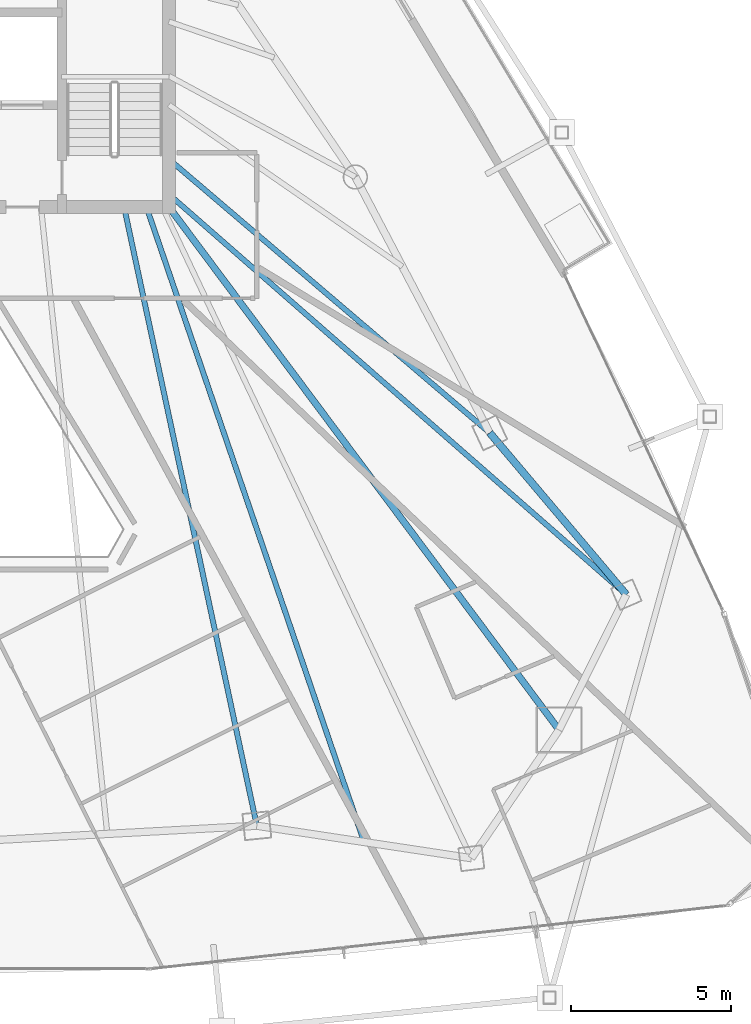
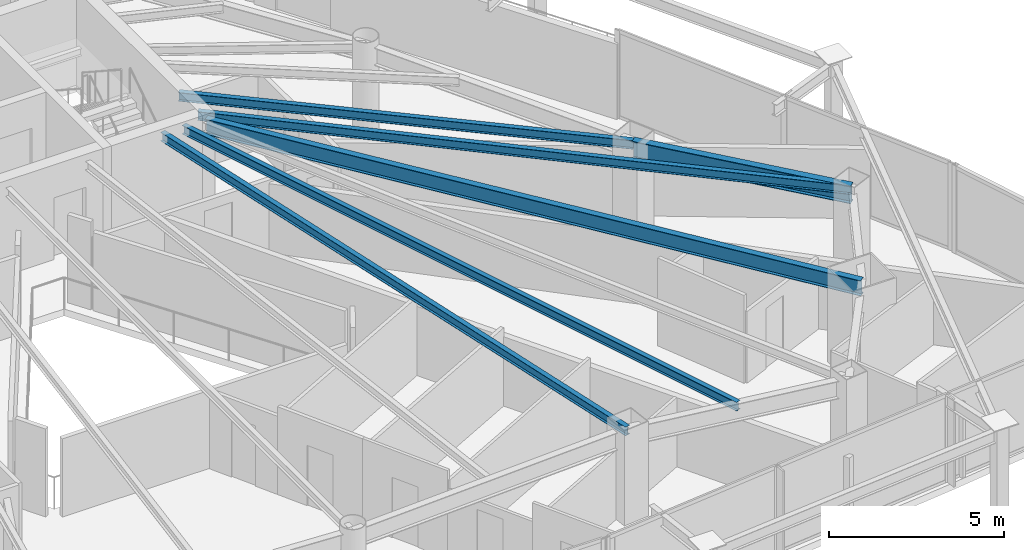
# One storey, part 14 of 31: 6 beams.
"""IFC4 building model written with IfcOpenShell, lengths in metres."""

from ifc_helpers import new_model, si_unit, direction, frame, origin, origin_2d, place, context, subcontext, project, spatial, i_section, extrude, material, material_profile, profile_set, type_object, element, save


model = new_model("IFC4")

# Units and contexts
model_context = context("Model", 3, precision=1e-05, world=origin(), true_north=direction((0.0, 1.0)))
body_context = subcontext(model_context, "Body", "Model", "MODEL_VIEW")
ifc_project = project(units=[si_unit("LENGTHUNIT", "METRE"), si_unit("AREAUNIT", "SQUARE_METRE"), si_unit("VOLUMEUNIT", "CUBIC_METRE"), si_unit("PLANEANGLEUNIT", "RADIAN"), si_unit("MASSUNIT", "GRAM", prefix="KILO")], contexts=[model_context])

# Site, building, storey
site_placement = place(None, origin())
site = spatial("IfcSite", under=ifc_project, at=site_placement, CompositionType="ELEMENT")
building_placement = place(site_placement, origin())
building = spatial("IfcBuilding", under=site, at=building_placement, Name="Orvanel Arch Residences", CompositionType="ELEMENT")
storey_placement = place(building_placement, frame((0.0, 0.0, 113.300048828125)))
storey = spatial("IfcBuildingStorey", under=building, at=storey_placement, Name="L31", CompositionType="ELEMENT", Elevation=113.300048828125)

# Beams
ifc_material = material(Name="Structural steel AS/NZS 3679.1 Grade 300 (300 MPa)", Category="steel")
ifc_material_profile_1 = material_profile(ifc_material, i_section(OverallWidth=0.208984375, OverallDepth=0.532958984375, WebThickness=0.01025390625, FlangeThickness=0.015625, at=origin_2d()), Name="530UB92.4")
ifc_profile_set_1 = profile_set([ifc_material_profile_1], Name="Structural steel AS/NZS 3679.1 Grade 300 (300 MPa)")
beam_type_1 = type_object("IfcBeamType", Name="BG-530UB", PredefinedType="BEAM", material=ifc_profile_set_1)
beam_1_placement = place(storey_placement, frame((39.625, 26.675048828125, 2.7939453125), z_axis=(0.597893733742, -0.801575375839, 0.0), x_axis=(0.801575375839, 0.597893733742, 0.0)))
element("IfcBeam", 1, at=beam_1_placement, inside=storey, type_object=beam_type_1, Name="L31 South-East Radial Girder", PredefinedType="BEAM", context=body_context, shape_type="SweptSolid", body=[
    extrude(i_section(OverallWidth=0.208984375, OverallDepth=0.532958984375, WebThickness=0.01025390625, FlangeThickness=0.015625, at=origin_2d()), origin(), (0.0, 0.0, 1.0), 20.36474609375),
])
ifc_material_profile_2 = material_profile(ifc_material, i_section(OverallWidth=0.1650390625, OverallDepth=0.303955078125, WebThickness=0.006103515625, FlangeThickness=0.01025390625, at=origin_2d()), Name="310UB40.4")
ifc_profile_set_2 = profile_set([ifc_material_profile_2], Name="Structural steel AS/NZS 3679.1 Grade 300 (300 MPa)")
beam_type_2 = type_object("IfcBeamType", Name="BJ-310UB", PredefinedType="JOIST", material=ifc_profile_set_2)
beam_2_placement = place(storey_placement, frame((39.60009765625, 28.199951171875, 2.907958984375), z_axis=(0.760821315761, -0.648961420644, 0.0), x_axis=(0.648961420644, 0.760821315761, 0.0)))
element("IfcBeam", 2, at=beam_2_placement, inside=storey, type_object=beam_type_2, Name="L31 E Wing Floor Joist", PredefinedType="JOIST", context=body_context, shape_type="SweptSolid", body=[
    extrude(i_section(OverallWidth=0.1650390625, OverallDepth=0.303955078125, WebThickness=0.006103515625, FlangeThickness=0.01025390625, at=origin_2d()), origin(), (0.0, 0.0, 1.0), 13.18701171875),
])
beam_3_placement = place(storey_placement, frame((38.199951171875, 26.699951171875, 2.907958984375), z_axis=(0.209808012425, -0.977742603103, 0.0), x_axis=(0.977742603103, 0.209808012425, 0.0)))
element("IfcBeam", 3, at=beam_3_placement, inside=storey, type_object=beam_type_2, Name="L31 SE Wing Floor Joist", PredefinedType="JOIST", context=body_context, shape_type="SweptSolid", body=[
    extrude(i_section(OverallWidth=0.1650390625, OverallDepth=0.303955078125, WebThickness=0.006103515625, FlangeThickness=0.01025390625, at=origin_2d()), origin(), (0.0, 0.0, 1.0), 19.785400390625),
])
beam_4_placement = place(storey_placement, frame((39.60009765625, 27.10009765625, 2.907958984375), z_axis=(0.752493154183, -0.658600070534, 0.0), x_axis=(0.658600070534, 0.752493154183, 0.0)))
element("IfcBeam", 4, at=beam_4_placement, inside=storey, type_object=beam_type_2, Name="L31 ME Wing Floor Joist", PredefinedType="JOIST", context=body_context, shape_type="SweptSolid", body=[
    extrude(i_section(OverallWidth=0.1650390625, OverallDepth=0.303955078125, WebThickness=0.006103515625, FlangeThickness=0.01025390625, at=origin_2d()), origin(), (0.0, 0.0, 1.0), 19.010009765625),
])
beam_5_placement = place(storey_placement, frame((38.89990234375, 26.699951171875, 2.907958984375), z_axis=(0.324257108963, -0.945968988544, 0.0), x_axis=(0.945968988544, 0.324257108963, 0.0)))
element("IfcBeam", 5, at=beam_5_placement, inside=storey, type_object=beam_type_2, Name="L31 JADD2 Wing Floor Joist", PredefinedType="JOIST", context=body_context, shape_type="SweptSolid", body=[
    extrude(i_section(OverallWidth=0.1650390625, OverallDepth=0.303955078125, WebThickness=0.006103515625, FlangeThickness=0.01025390625, at=origin_2d()), origin(), (0.0, 0.0, 1.0), 20.987060546875),
])
ifc_material_profile_3 = material_profile(ifc_material, i_section(OverallWidth=0.22900390625, OverallDepth=0.612060546875, WebThickness=0.011962890625, FlangeThickness=0.01953125, at=origin_2d()), Name="610UB125")
ifc_profile_set_3 = profile_set([ifc_material_profile_3], Name="Structural steel AS/NZS 3679.1 Grade 300 (300 MPa)")
beam_type_3 = type_object("IfcBeamType", Name="SP-610UB", PredefinedType="SPANDREL", material=ifc_profile_set_3)
beam_6_placement = place(storey_placement, frame((53.905029296875, 14.580078125, 2.75390625), z_axis=(-0.644950329775, 0.764224490659, 0.0), x_axis=(-0.764224490659, -0.644950329775, 0.0)))
element("IfcBeam", 6, at=beam_6_placement, inside=storey, type_object=beam_type_3, Name="L31 Perimeter Spandrel Beam 10", PredefinedType="SPANDREL", context=body_context, shape_type="SweptSolid", body=[
    extrude(i_section(OverallWidth=0.22900390625, OverallDepth=0.612060546875, WebThickness=0.011962890625, FlangeThickness=0.01953125, at=origin_2d()), origin(), (0.0, 0.0, 1.0), 6.623779296875),
])

save(model, "model.ifc")
